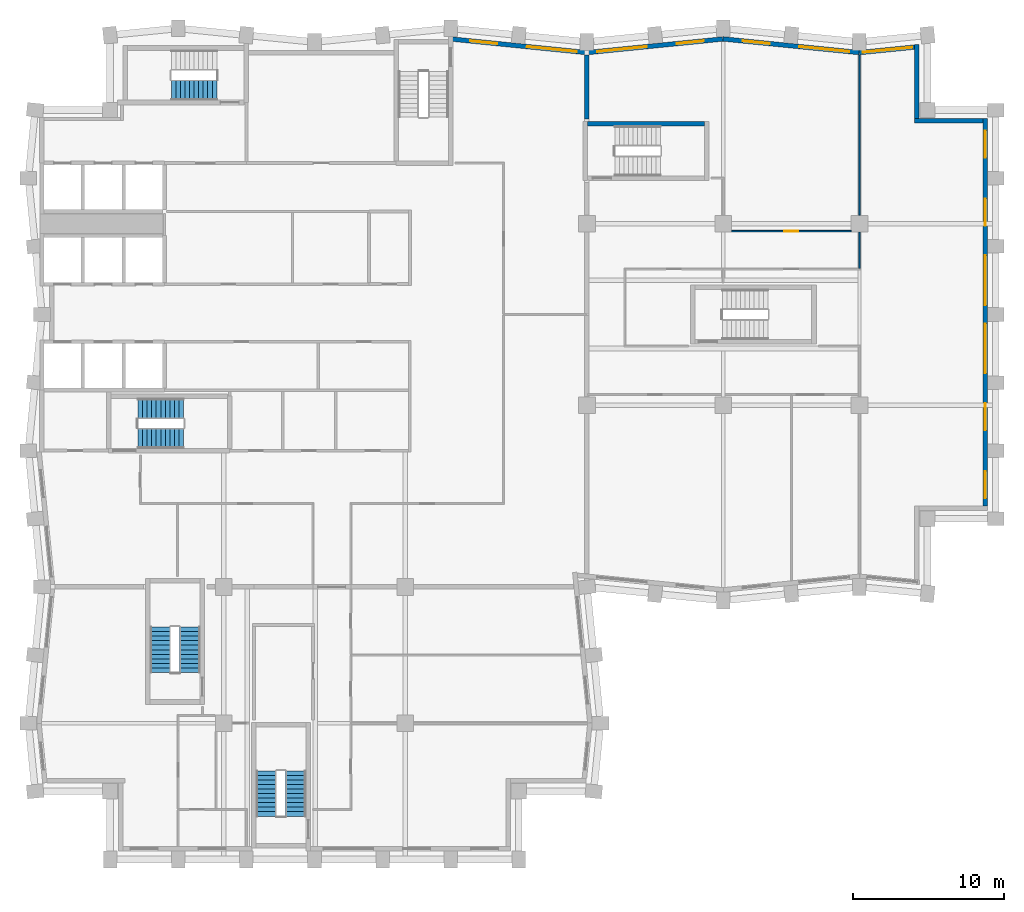
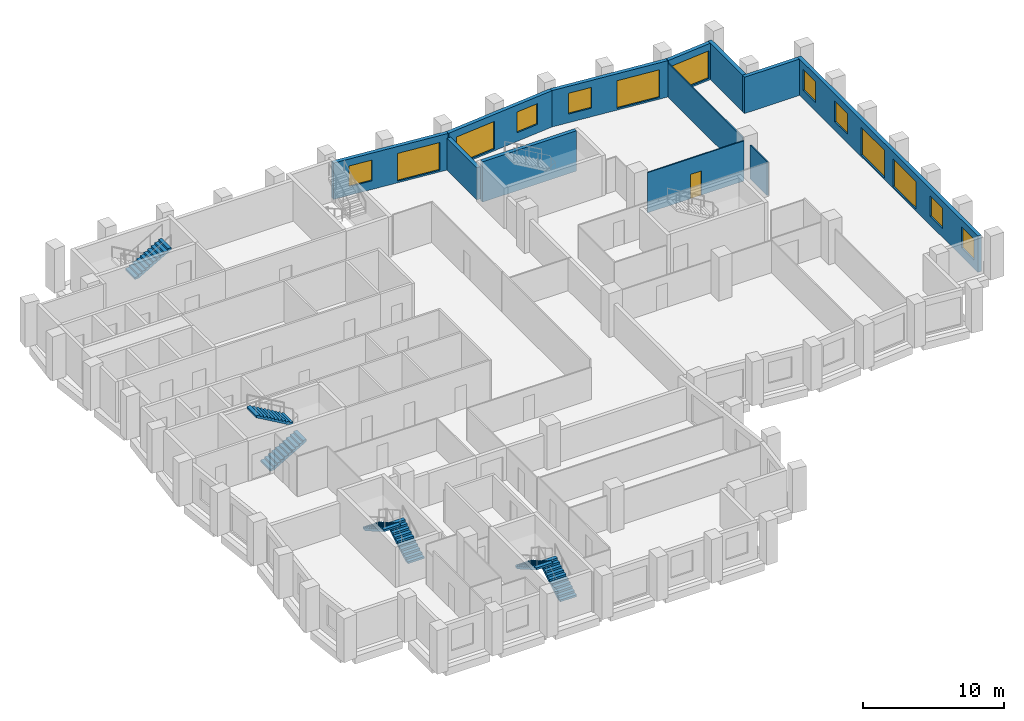
# One storey, part 7 of 10: 13 windows, 12 walls, 7 stair flights, 1 door, 14 openings, 4 elements without a shape of their own.
"""IFC4 building model written with IfcOpenShell, lengths in metres."""

import ifcopenshell
import ifcopenshell.guid

model = None  # the IFC model being written
_history = None  # IfcOwnerHistory: only IFC2X3 demands one
_inside = {}  # id of a spatial element -> (the spatial element, [elements in it])
_under = {}  # id of a project, library or spatial element -> (it, [spatial elements below it])
_declared = {}  # id of a project -> (the project, [libraries it declares])
_typed = {}  # id of a type object -> (the type object, [elements of that type])
_made_of = {}  # id of a material, layer set ... -> (it, [elements and type objects made of it])


def new_model(schema):
    """Start an empty IFC model of exactly this schema.

    Asked for "IFC4X3", IfcOpenShell would pick the latest addendum, in which some entities
    have other attributes; the version numbers below select the first issue.
    IFC2X3 requires an IfcOwnerHistory on every rooted entity: one is made here for all.
    """
    global model, _history
    if schema == "IFC4X3":
        model = ifcopenshell.file(schema_version=(4, 3, 0, 0))
    else:
        model = ifcopenshell.file(schema=schema)
    _inside.clear()
    _under.clear()
    _declared.clear()
    _typed.clear()
    _made_of.clear()
    _history = None
    if model.schema == "IFC2X3":
        org = make("IfcOrganization", Name="unknown")
        user = make(
            "IfcPersonAndOrganization",
            ThePerson=make("IfcPerson", FamilyName="unknown"),
            TheOrganization=org,
        )
        app = make(
            "IfcApplication",
            ApplicationDeveloper=org,
            Version="unknown",
            ApplicationFullName="unknown",
            ApplicationIdentifier="unknown",
        )
        _history = make(
            "IfcOwnerHistory",
            OwningUser=user,
            OwningApplication=app,
            ChangeAction="ADDED",
            CreationDate=0,
        )
    return model


def make(cls, **values):
    """One entity of the class cls with the attributes given. An attribute that is None is left unset."""
    return model.create_entity(
        cls, **{name: value for name, value in values.items() if value is not None}
    )


def rooted(cls, **values):
    """An entity with a GlobalId (a new one), such as an element, a storey or a relation."""
    return make(cls, GlobalId=ifcopenshell.guid.new(), OwnerHistory=_history, **values)


def si_unit(unit_type, name, prefix=None):
    """IfcSIUnit, for example si_unit("LENGTHUNIT", "METRE", prefix="MILLI")."""
    return make("IfcSIUnit", UnitType=unit_type, Prefix=prefix, Name=name)


def assignment(units):
    """IfcUnitAssignment: the units of a project."""
    return None if units is None else make("IfcUnitAssignment", Units=units)


def point(xyz):
    """IfcCartesianPoint."""
    return None if xyz is None else make("IfcCartesianPoint", Coordinates=xyz)


def direction(xyz):
    """IfcDirection."""
    return None if xyz is None else make("IfcDirection", DirectionRatios=xyz)


def frame(location, z_axis=None, x_axis=None):
    """IfcAxis2Placement3D, a coordinate frame: its origin and axes. An axis left out is left unset."""
    return make(
        "IfcAxis2Placement3D",
        Location=point(location),
        Axis=direction(z_axis),
        RefDirection=direction(x_axis),
    )


def frame_2d(location, x_axis=None):
    """IfcAxis2Placement2D, a coordinate frame in the plane: its origin and x axis."""
    return make(
        "IfcAxis2Placement2D", Location=point(location), RefDirection=direction(x_axis)
    )


def origin():
    """The frame at (0, 0, 0) with its axes left unset."""
    return frame((0.0, 0.0, 0.0))


def place(relative_to, where):
    """IfcLocalPlacement: puts the frame where relative to a parent placement (None: the world)."""
    return make(
        "IfcLocalPlacement", PlacementRelTo=relative_to, RelativePlacement=where
    )


def context(
    kind, dimensions, precision=None, world=None, true_north=None, identifier=None
):
    """IfcGeometricRepresentationContext, for example the 3D "Model" context."""
    return make(
        "IfcGeometricRepresentationContext",
        ContextIdentifier=identifier,
        ContextType=kind,
        CoordinateSpaceDimension=dimensions,
        Precision=precision,
        WorldCoordinateSystem=world,
        TrueNorth=true_north,
    )


def subcontext(parent, identifier, kind, view, scale=None):
    """IfcGeometricRepresentationSubContext, for example "Body" below "Model"."""
    return make(
        "IfcGeometricRepresentationSubContext",
        ContextIdentifier=identifier,
        ContextType=kind,
        ParentContext=parent,
        TargetScale=scale,
        TargetView=view,
    )


def project(units=None, contexts=None):
    """IfcProject with its units and contexts."""
    return rooted(
        "IfcProject",
        Name="project",
        RepresentationContexts=contexts,
        UnitsInContext=assignment(units),
    )


def spatial(cls, under=None, at=None, **own):
    """A site, building, storey or space (cls), placed at a placement, below another one or the project."""
    s = rooted(cls, ObjectPlacement=at, **own)
    if under is not None:
        _under.setdefault(under.id(), (under, []))[1].append(s)
    return s


def polyline(points):
    """IfcPolyline through the points."""
    return make("IfcPolyline", Points=[point(p) for p in points])


def profile(cls, at=None, kind="AREA", **sizes):
    """A parametric profile (cls). Its sizes go by their IFC names, for example OverallWidth=200.0."""
    return make(cls, ProfileType=kind, Position=at, **sizes)


def rectangle(**sizes):
    """IfcRectangleProfileDef."""
    return profile("IfcRectangleProfileDef", **sizes)


def outline(outer, holes=None, kind="AREA"):
    """IfcArbitraryClosedProfileDef: a profile drawn as a closed curve; with holes, ...WithVoids."""
    if holes is None:
        return make("IfcArbitraryClosedProfileDef", ProfileType=kind, OuterCurve=outer)
    return make(
        "IfcArbitraryProfileDefWithVoids",
        ProfileType=kind,
        OuterCurve=outer,
        InnerCurves=holes,
    )


def extrude(swept, where, along, depth):
    """IfcExtrudedAreaSolid: the profile swept, set in the frame where, extruded along a direction by depth."""
    return make(
        "IfcExtrudedAreaSolid",
        SweptArea=swept,
        Position=where,
        ExtrudedDirection=direction(along),
        Depth=depth,
    )


def shape(context_of_items, identifier, shape_type, items):
    """IfcShapeRepresentation: the items that make up one representation, for example the "Body"."""
    return make(
        "IfcShapeRepresentation",
        ContextOfItems=context_of_items,
        RepresentationIdentifier=identifier,
        RepresentationType=shape_type,
        Items=items,
    )


def material(Name=None, Category=None):
    """IfcMaterial."""
    return make("IfcMaterial", Name=Name, Category=Category)


def layer(
    of_material, thickness, ventilated=None, Name=None, Category=None, Priority=None
):
    """IfcMaterialLayer: one layer of a wall or slab, of a material (None: an air gap)."""
    return make(
        "IfcMaterialLayer",
        Material=of_material,
        LayerThickness=thickness,
        IsVentilated=ventilated,
        Name=Name,
        Category=Category,
        Priority=Priority,
    )


def layer_set(layers, Name=None):
    """IfcMaterialLayerSet."""
    return make("IfcMaterialLayerSet", MaterialLayers=layers, LayerSetName=Name)


def made_of(thing, what):
    """Note that an element or type object is made of a material, layer set ...; save() writes the relation."""
    if what is not None:
        _made_of.setdefault(what.id(), (what, []))[1].append(thing)
    return thing


def type_object(cls, material=None, **own):
    """A type object (cls), such as IfcWallType, which elements share."""
    return made_of(rooted(cls, **own), material)


def element(
    cls,
    number,
    at=None,
    inside=None,
    cuts=None,
    type_object=None,
    material=None,
    context=None,
    identifier="Body",
    shape_type=None,
    held_by="IfcProductDefinitionShape",
    body=None,
    shapes=None,
    **own,
):
    """One element of the class cls, such as IfcWall. Its Tag is "e" and its number.

    at: its placement. inside: the storey or other place that contains it. cuts: it is an
    opening in that element (IfcRelVoidsElement). A single representation is given by context,
    identifier, shape_type and body (its items); several are given by shapes. held_by: the class
    of the entity that holds the representations. save() writes the other relations.
    """
    e = rooted(cls, Tag="e%d" % number, ObjectPlacement=at, **own)
    if body is not None:
        shapes = [shape(context, identifier, shape_type, body)]
    if shapes is not None:
        e.Representation = make(held_by, Representations=shapes)
    if inside is not None:
        _inside.setdefault(inside.id(), (inside, []))[1].append(e)
    if cuts is not None:
        rooted(
            "IfcRelVoidsElement", RelatingBuildingElement=cuts, RelatedOpeningElement=e
        )
    if type_object is not None:
        _typed.setdefault(type_object.id(), (type_object, []))[1].append(e)
    return made_of(e, material)


def fill(opening, filler):
    """IfcRelFillsElement: the door or window that sits in an opening."""
    return rooted(
        "IfcRelFillsElement",
        RelatingOpeningElement=opening,
        RelatedBuildingElement=filler,
    )


def aggregate(whole, parts):
    """IfcRelAggregates: a whole, such as a stair, and the parts it consists of."""
    return rooted("IfcRelAggregates", RelatingObject=whole, RelatedObjects=parts)


def save(model, path):
    """Write the relations noted so far, then the file.

    IfcRelAggregates (storeys below a building ...), IfcRelContainedInSpatialStructure (elements
    in a storey), IfcRelDefinesByType, IfcRelAssociatesMaterial and IfcRelDeclares: one each for
    every whole, place, type object, material and project.
    """
    for whole, parts in _under.values():
        aggregate(whole, parts)
    for where, things in _inside.values():
        rooted(
            "IfcRelContainedInSpatialStructure",
            RelatedElements=things,
            RelatingStructure=where,
        )
    for kind, things in _typed.values():
        rooted("IfcRelDefinesByType", RelatedObjects=things, RelatingType=kind)
    for what, things in _made_of.values():
        rooted("IfcRelAssociatesMaterial", RelatedObjects=things, RelatingMaterial=what)
    for by, libraries in _declared.values():
        rooted("IfcRelDeclares", RelatingContext=by, RelatedDefinitions=libraries)
    model.write(path)


model = new_model("IFC4")

# Units and contexts
model_context = context("Model", 3, precision=1e-05, world=origin(), true_north=direction((0.0, 1.0)))
body_context = subcontext(model_context, "Body", "Model", "MODEL_VIEW")
ifc_project = project(units=[si_unit("LENGTHUNIT", "METRE"), si_unit("AREAUNIT", "SQUARE_METRE"), si_unit("VOLUMEUNIT", "CUBIC_METRE"), si_unit("PLANEANGLEUNIT", "RADIAN"), si_unit("MASSUNIT", "GRAM", prefix="KILO")], contexts=[model_context])

# Site, building, storey
site_placement = place(None, origin())
site = spatial("IfcSite", under=ifc_project, at=site_placement, CompositionType="ELEMENT")
building_placement = place(site_placement, origin())
building = spatial("IfcBuilding", under=site, at=building_placement, Name="Brondeck Convention Tower", CompositionType="ELEMENT")
storey_placement = place(building_placement, frame((0.0, 0.0, 162.39990234375)))
storey = spatial("IfcBuildingStorey", under=building, at=storey_placement, Name="L39", CompositionType="ELEMENT", Elevation=162.39990234375)

# Wall
ifc_material_1 = material(Name="Concrete compartment wall C30/37", Category="concrete")
ifc_layer_1 = layer(ifc_material_1, 0.300048828125)
ifc_layer_set_1 = layer_set([ifc_layer_1], Name="Compartment wall 300")
wall_type_1 = type_object("IfcWallType", Name="Compartment wall 300", PredefinedType="PARTITIONING", material=ifc_layer_set_1)
wall_1_placement = place(storey_placement, frame((36.0, 57.89990234375, 0.0), z_axis=(0.0, 0.0, 1.0), x_axis=(0.0, 1.0, 0.0)))
element("IfcWall", 1, at=wall_1_placement, inside=storey, type_object=wall_type_1, Name="FLR-L39-W060", PredefinedType="PARTITIONING", context=body_context, shape_type="SweptSolid", body=[
    extrude(rectangle(XDim=4.22607421875, YDim=0.300048828125, at=frame_2d((2.113037109375, 0.0))), origin(), (0.0, 0.0, 1.0), 2.780029296875),
])

# Wall, openings, windows
ifc_material_2 = material(Name="Precast concrete C50/60 bronze finish", Category="concrete")
ifc_layer_2 = layer(ifc_material_2, 0.070068359375, Name="Bronze precast facing")
ifc_material_3 = material(Name="Mineral wool")
ifc_layer_3 = layer(ifc_material_3, 0.159912109375, Name="Insulation")
ifc_material_4 = material(Name="Concrete C35/45", Category="concrete")
ifc_layer_4 = layer(ifc_material_4, 0.070068359375, Name="Backing")
ifc_layer_set_2 = layer_set([ifc_layer_2, ifc_layer_3, ifc_layer_4], Name="External infill wall, precast concrete C50/60 bronze facing")
wall_type_2 = type_object("IfcWallType", Name="External infill wall, precast concrete C50/60 bronze facing", PredefinedType="SOLIDWALL", material=ifc_layer_set_2)
wall_2_placement = place(storey_placement, frame((62.300048828125, 57.949951171875, 0.0), z_axis=(0.0, 0.0, 1.0), x_axis=(0.0, -1.0, 0.0)))
wall_2 = element("IfcWall", 2, at=wall_2_placement, inside=storey, type_object=wall_type_2, Name="ENV-EW-L39-P1-A-E63-01", PredefinedType="SOLIDWALL", context=body_context, shape_type="SweptSolid", body=[
    extrude(rectangle(XDim=25.60205078125, YDim=0.300048828125, at=frame_2d((12.801025390625, 0.0))), origin(), (0.0, 0.0, 1.0), 3.150146484375),
])
opening_1_placement = place(wall_2_placement, frame((0.800048828125, 0.0, 0.75)))
opening_1 = element("IfcOpeningElement", 3, at=opening_1_placement, cuts=wall_2, Name="Opening W10", PredefinedType="OPENING", context=body_context, shape_type="SweptSolid", body=[
    extrude(rectangle(XDim=1.800048828125, YDim=1.800048828125, at=frame_2d((0.89990234375, 0.89990234375))), frame((0.0, 0.159912109375, 0.0), z_axis=(0.0, -1.0, 0.0), x_axis=(1.0, 0.0, 0.0)), (0.0, 0.0, 1.0), 0.320068359375),
])
opening_2_placement = place(wall_2_placement, frame((5.300048828125, 0.0, 0.75)))
opening_2 = element("IfcOpeningElement", 4, at=opening_2_placement, cuts=wall_2, Name="Opening W10", PredefinedType="OPENING", context=body_context, shape_type="SweptSolid", body=[
    extrude(rectangle(XDim=1.800048828125, YDim=1.800048828125, at=frame_2d((0.89990234375, 0.89990234375))), frame((0.0, 0.159912109375, 0.0), z_axis=(0.0, -1.0, 0.0), x_axis=(1.0, 0.0, 0.0)), (0.0, 0.0, 1.0), 0.320068359375),
])
opening_3_placement = place(wall_2_placement, frame((9.050048828125, 0.0, 0.14990234375)))
opening_3 = element("IfcOpeningElement", 5, at=opening_3_placement, cuts=wall_2, Name="Opening W9", PredefinedType="OPENING", context=body_context, shape_type="SweptSolid", body=[
    extrude(rectangle(XDim=3.300048828125, YDim=2.39990234375, at=frame_2d((1.64990234375, 1.199951171875))), frame((0.0, 0.159912109375, 0.0), z_axis=(0.0, -1.0, 0.0), x_axis=(1.0, 0.0, 0.0)), (0.0, 0.0, 1.0), 0.320068359375),
])
opening_4_placement = place(wall_2_placement, frame((13.550048828125, 0.0, 0.14990234375)))
opening_4 = element("IfcOpeningElement", 6, at=opening_4_placement, cuts=wall_2, Name="Opening W9", PredefinedType="OPENING", context=body_context, shape_type="SweptSolid", body=[
    extrude(rectangle(XDim=3.300048828125, YDim=2.39990234375, at=frame_2d((1.64990234375, 1.199951171875))), frame((0.0, 0.159912109375, 0.0), z_axis=(0.0, -1.0, 0.0), x_axis=(1.0, 0.0, 0.0)), (0.0, 0.0, 1.0), 0.320068359375),
])
opening_5_placement = place(wall_2_placement, frame((18.800048828125, 0.0, 0.75)))
opening_5 = element("IfcOpeningElement", 7, at=opening_5_placement, cuts=wall_2, Name="Opening W10", PredefinedType="OPENING", context=body_context, shape_type="SweptSolid", body=[
    extrude(rectangle(XDim=1.800048828125, YDim=1.800048828125, at=frame_2d((0.89990234375, 0.89990234375))), frame((0.0, 0.159912109375, 0.0), z_axis=(0.0, -1.0, 0.0), x_axis=(1.0, 0.0, 0.0)), (0.0, 0.0, 1.0), 0.320068359375),
])
opening_6_placement = place(wall_2_placement, frame((23.300048828125, 0.0, 0.75)))
opening_6 = element("IfcOpeningElement", 8, at=opening_6_placement, cuts=wall_2, Name="Opening W10", PredefinedType="OPENING", context=body_context, shape_type="SweptSolid", body=[
    extrude(rectangle(XDim=1.800048828125, YDim=1.800048828125, at=frame_2d((0.89990234375, 0.89990234375))), frame((0.0, 0.159912109375, 0.0), z_axis=(0.0, -1.0, 0.0), x_axis=(1.0, 0.0, 0.0)), (0.0, 0.0, 1.0), 0.320068359375),
])
ifc_material_5 = material(Name="Bronze tinted double glazing", Category="glass")
window_type_1 = type_object("IfcWindowType", Name="Glazed flute window, bronze tinted", PartitioningType="SINGLE_PANEL", PredefinedType="WINDOW", material=ifc_material_5)
window_1_placement = place(opening_3_placement, origin())
window_1 = element("IfcWindow", 9, at=window_1_placement, inside=storey, type_object=window_type_1, Name="ENV-WN-L39-P1-A-E63-04", OverallHeight=2.39990234375, OverallWidth=3.300048828125, PartitioningType="SINGLE_PANEL", PredefinedType="WINDOW", context=body_context, shape_type="SweptSolid", body=[
    extrude(rectangle(XDim=3.300048828125, YDim=2.39990234375, at=frame_2d((1.64990234375, 1.199951171875))), frame((0.0, 0.030029296875, 0.0), z_axis=(0.0, -1.0, 0.0), x_axis=(1.0, 0.0, 0.0)), (0.0, 0.0, 1.0), 0.06005859375),
])
fill(opening_3, window_1)
window_2_placement = place(opening_4_placement, origin())
window_2 = element("IfcWindow", 10, at=window_2_placement, inside=storey, type_object=window_type_1, Name="ENV-WN-L39-P1-A-E63-03", OverallHeight=2.39990234375, OverallWidth=3.300048828125, PartitioningType="SINGLE_PANEL", PredefinedType="WINDOW", context=body_context, shape_type="SweptSolid", body=[
    extrude(rectangle(XDim=3.300048828125, YDim=2.39990234375, at=frame_2d((1.64990234375, 1.199951171875))), frame((0.0, 0.030029296875, 0.0), z_axis=(0.0, -1.0, 0.0), x_axis=(1.0, 0.0, 0.0)), (0.0, 0.0, 1.0), 0.06005859375),
])
fill(opening_4, window_2)
window_type_2 = type_object("IfcWindowType", Name="Punched window, bronze tinted", PartitioningType="SINGLE_PANEL", PredefinedType="WINDOW", material=ifc_material_5)
window_3_placement = place(opening_1_placement, origin())
window_3 = element("IfcWindow", 11, at=window_3_placement, inside=storey, type_object=window_type_2, Name="ENV-WN-L39-P1-A-E63-06", OverallHeight=1.800048828125, OverallWidth=1.800048828125, PartitioningType="SINGLE_PANEL", PredefinedType="WINDOW", context=body_context, shape_type="SweptSolid", body=[
    extrude(rectangle(XDim=1.800048828125, YDim=1.800048828125, at=frame_2d((0.89990234375, 0.89990234375))), frame((0.0, 0.030029296875, 0.0), z_axis=(0.0, -1.0, 0.0), x_axis=(1.0, 0.0, 0.0)), (0.0, 0.0, 1.0), 0.06005859375),
])
fill(opening_1, window_3)
window_4_placement = place(opening_2_placement, origin())
window_4 = element("IfcWindow", 12, at=window_4_placement, inside=storey, type_object=window_type_2, Name="ENV-WN-L39-P1-A-E63-05", OverallHeight=1.800048828125, OverallWidth=1.800048828125, PartitioningType="SINGLE_PANEL", PredefinedType="WINDOW", context=body_context, shape_type="SweptSolid", body=[
    extrude(rectangle(XDim=1.800048828125, YDim=1.800048828125, at=frame_2d((0.89990234375, 0.89990234375))), frame((0.0, 0.030029296875, 0.0), z_axis=(0.0, -1.0, 0.0), x_axis=(1.0, 0.0, 0.0)), (0.0, 0.0, 1.0), 0.06005859375),
])
fill(opening_2, window_4)
window_5_placement = place(opening_5_placement, origin())
window_5 = element("IfcWindow", 13, at=window_5_placement, inside=storey, type_object=window_type_2, Name="ENV-WN-L39-P1-A-E63-02", OverallHeight=1.800048828125, OverallWidth=1.800048828125, PartitioningType="SINGLE_PANEL", PredefinedType="WINDOW", context=body_context, shape_type="SweptSolid", body=[
    extrude(rectangle(XDim=1.800048828125, YDim=1.800048828125, at=frame_2d((0.89990234375, 0.89990234375))), frame((0.0, 0.030029296875, 0.0), z_axis=(0.0, -1.0, 0.0), x_axis=(1.0, 0.0, 0.0)), (0.0, 0.0, 1.0), 0.06005859375),
])
fill(opening_5, window_5)
window_6_placement = place(opening_6_placement, origin())
window_6 = element("IfcWindow", 14, at=window_6_placement, inside=storey, type_object=window_type_2, Name="ENV-WN-L39-P1-A-E63-01", OverallHeight=1.800048828125, OverallWidth=1.800048828125, PartitioningType="SINGLE_PANEL", PredefinedType="WINDOW", context=body_context, shape_type="SweptSolid", body=[
    extrude(rectangle(XDim=1.800048828125, YDim=1.800048828125, at=frame_2d((0.89990234375, 0.89990234375))), frame((0.0, 0.030029296875, 0.0), z_axis=(0.0, -1.0, 0.0), x_axis=(1.0, 0.0, 0.0)), (0.0, 0.0, 1.0), 0.06005859375),
])
fill(opening_6, window_6)

# Walls
wall_3_placement = place(storey_placement, frame((57.64990234375, 57.800048828125, 0.0), z_axis=(0.0, 0.0, 1.0), x_axis=(1.0, 0.0, 0.0)))
element("IfcWall", 15, at=wall_3_placement, inside=storey, type_object=wall_type_2, Name="ENV-EW-L39-P1-NC-NEA63-01", PredefinedType="SOLIDWALL", context=body_context, shape_type="SweptSolid", body=[
    extrude(rectangle(XDim=4.502197265625, YDim=0.300048828125, at=frame_2d((2.2509765625, 0.0))), origin(), (0.0, 0.0, 1.0), 3.150146484375),
])
wall_4_placement = place(storey_placement, frame((57.800048828125, 62.84228515625, 0.0), z_axis=(0.0, 0.0, 1.0), x_axis=(0.0, -1.0, 0.0)))
element("IfcWall", 16, at=wall_4_placement, inside=storey, type_object=wall_type_2, Name="ENV-EW-L39-P1-NC-NEA63-02", PredefinedType="SOLIDWALL", context=body_context, shape_type="SweptSolid", body=[
    extrude(rectangle(XDim=4.894287109375, YDim=0.300048828125, at=frame_2d((2.447265625, 0.0))), origin(), (0.0, 0.0, 1.0), 3.150146484375),
])

# Wall, opening, window
wall_5_placement = place(storey_placement, frame((53.985107421875, 62.294921875, 0.0), z_axis=(0.0, 0.0, 1.0), x_axis=(0.99503719021, 0.099503719021, 0.0)))
wall_5 = element("IfcWall", 17, at=wall_5_placement, inside=storey, type_object=wall_type_2, Name="ENV-EW-L39-P1-A-N-12", PredefinedType="SOLIDWALL", context=body_context, shape_type="SweptSolid", body=[
    extrude(rectangle(XDim=3.677978515625, YDim=0.300048828125, at=frame_2d((1.8388671875, 0.0))), origin(), (0.0, 0.0, 1.0), 3.150146484375),
])
opening_7_placement = place(wall_5_placement, frame((0.22802734375, 0.0, 0.14990234375)))
opening_7 = element("IfcOpeningElement", 18, at=opening_7_placement, cuts=wall_5, Name="Opening W9", PredefinedType="OPENING", context=body_context, shape_type="SweptSolid", body=[
    extrude(rectangle(XDim=3.300048828125, YDim=2.39990234375, at=frame_2d((1.64990234375, 1.199951171875))), frame((0.0, 0.159912109375, 0.0), z_axis=(0.0, -1.0, 0.0), x_axis=(1.0, 0.0, 0.0)), (0.0, 0.0, 1.0), 0.320068359375),
])
window_7_placement = place(opening_7_placement, origin())
window_7 = element("IfcWindow", 19, at=window_7_placement, inside=storey, type_object=window_type_1, Name="ENV-WN-L39-P1-A-N-12", OverallHeight=2.39990234375, OverallWidth=3.300048828125, PartitioningType="SINGLE_PANEL", PredefinedType="WINDOW", context=body_context, shape_type="SweptSolid", body=[
    extrude(rectangle(XDim=3.300048828125, YDim=2.39990234375, at=frame_2d((1.64990234375, 1.199951171875))), frame((0.0, 0.030029296875, 0.0), z_axis=(0.0, -1.0, 0.0), x_axis=(1.0, 0.0, 0.0)), (0.0, 0.0, 1.0), 0.06005859375),
])
fill(opening_7, window_7)

# Wall, openings, windows
wall_6_placement = place(storey_placement, frame((44.985107421875, 63.197998046875, 0.0), z_axis=(0.0, 0.0, 1.0), x_axis=(0.995037993253, -0.099495688264, 0.0)))
wall_6 = element("IfcWall", 20, at=wall_6_placement, inside=storey, type_object=wall_type_2, Name="ENV-EW-L39-P1-A-N-11", PredefinedType="SOLIDWALL", context=body_context, shape_type="SweptSolid", body=[
    extrude(rectangle(XDim=9.030029296875, YDim=0.300048828125, at=frame_2d((4.51513671875, 0.0))), origin(), (0.0, 0.0, 1.0), 3.150146484375),
])
opening_8_placement = place(wall_6_placement, frame((1.30615234375, 0.0, 0.75)))
opening_8 = element("IfcOpeningElement", 21, at=opening_8_placement, cuts=wall_6, Name="Opening W10", PredefinedType="OPENING", context=body_context, shape_type="SweptSolid", body=[
    extrude(rectangle(XDim=1.800048828125, YDim=1.800048828125, at=frame_2d((0.89990234375, 0.89990234375))), frame((0.0, 0.159912109375, 0.0), z_axis=(0.0, -1.0, 0.0), x_axis=(1.0, 0.0, 0.0)), (0.0, 0.0, 1.0), 0.320068359375),
])
opening_9_placement = place(wall_6_placement, frame((5.07861328125, 0.0, 0.14990234375)))
opening_9 = element("IfcOpeningElement", 22, at=opening_9_placement, cuts=wall_6, Name="Opening W9", PredefinedType="OPENING", context=body_context, shape_type="SweptSolid", body=[
    extrude(rectangle(XDim=3.300048828125, YDim=2.39990234375, at=frame_2d((1.64990234375, 1.199951171875))), frame((0.0, 0.159912109375, 0.0), z_axis=(0.0, -1.0, 0.0), x_axis=(1.0, 0.0, 0.0)), (0.0, 0.0, 1.0), 0.320068359375),
])
window_8_placement = place(opening_9_placement, origin())
window_8 = element("IfcWindow", 23, at=window_8_placement, inside=storey, type_object=window_type_1, Name="ENV-WN-L39-P1-A-N-11", OverallHeight=2.39990234375, OverallWidth=3.300048828125, PartitioningType="SINGLE_PANEL", PredefinedType="WINDOW", context=body_context, shape_type="SweptSolid", body=[
    extrude(rectangle(XDim=3.300048828125, YDim=2.39990234375, at=frame_2d((1.64990234375, 1.199951171875))), frame((0.0, 0.030029296875, 0.0), z_axis=(0.0, -1.0, 0.0), x_axis=(1.0, 0.0, 0.0)), (0.0, 0.0, 1.0), 0.06005859375),
])
fill(opening_9, window_8)
window_9_placement = place(opening_8_placement, origin())
window_9 = element("IfcWindow", 24, at=window_9_placement, inside=storey, type_object=window_type_2, Name="ENV-WN-L39-P1-A-N-10", OverallHeight=1.800048828125, OverallWidth=1.800048828125, PartitioningType="SINGLE_PANEL", PredefinedType="WINDOW", context=body_context, shape_type="SweptSolid", body=[
    extrude(rectangle(XDim=1.800048828125, YDim=1.800048828125, at=frame_2d((0.89990234375, 0.89990234375))), frame((0.0, 0.030029296875, 0.0), z_axis=(0.0, -1.0, 0.0), x_axis=(1.0, 0.0, 0.0)), (0.0, 0.0, 1.0), 0.06005859375),
])
fill(opening_8, window_9)

wall_7_placement = place(storey_placement, frame((35.985107421875, 62.294921875, 0.0), z_axis=(0.0, 0.0, 1.0), x_axis=(0.995035316196, 0.099522457379, 0.0)))
wall_7 = element("IfcWall", 25, at=wall_7_placement, inside=storey, type_object=wall_type_2, Name="ENV-EW-L39-P1-A-N-09", PredefinedType="SOLIDWALL", context=body_context, shape_type="SweptSolid", body=[
    extrude(rectangle(XDim=9.030029296875, YDim=0.300048828125, at=frame_2d((4.51513671875, 0.0))), origin(), (0.0, 0.0, 1.0), 3.150146484375),
])
opening_10_placement = place(wall_7_placement, frame((0.6962890625, 0.0, 0.14990234375)))
opening_10 = element("IfcOpeningElement", 26, at=opening_10_placement, cuts=wall_7, Name="Opening W9", PredefinedType="OPENING", context=body_context, shape_type="SweptSolid", body=[
    extrude(rectangle(XDim=3.300048828125, YDim=2.39990234375, at=frame_2d((1.64990234375, 1.199951171875))), frame((0.0, 0.159912109375, 0.0), z_axis=(0.0, -1.0, 0.0), x_axis=(1.0, 0.0, 0.0)), (0.0, 0.0, 1.0), 0.320068359375),
])
opening_11_placement = place(wall_7_placement, frame((5.968505859375, 0.0, 0.75)))
opening_11 = element("IfcOpeningElement", 27, at=opening_11_placement, cuts=wall_7, Name="Opening W10", PredefinedType="OPENING", context=body_context, shape_type="SweptSolid", body=[
    extrude(rectangle(XDim=1.800048828125, YDim=1.800048828125, at=frame_2d((0.89990234375, 0.89990234375))), frame((0.0, 0.159912109375, 0.0), z_axis=(0.0, -1.0, 0.0), x_axis=(1.0, 0.0, 0.0)), (0.0, 0.0, 1.0), 0.320068359375),
])
window_10_placement = place(opening_10_placement, origin())
window_10 = element("IfcWindow", 28, at=window_10_placement, inside=storey, type_object=window_type_1, Name="ENV-WN-L39-P1-A-N-08", OverallHeight=2.39990234375, OverallWidth=3.300048828125, PartitioningType="SINGLE_PANEL", PredefinedType="WINDOW", context=body_context, shape_type="SweptSolid", body=[
    extrude(rectangle(XDim=3.300048828125, YDim=2.39990234375, at=frame_2d((1.64990234375, 1.199951171875))), frame((0.0, 0.030029296875, 0.0), z_axis=(0.0, -1.0, 0.0), x_axis=(1.0, 0.0, 0.0)), (0.0, 0.0, 1.0), 0.06005859375),
])
fill(opening_10, window_10)
window_11_placement = place(opening_11_placement, origin())
window_11 = element("IfcWindow", 29, at=window_11_placement, inside=storey, type_object=window_type_2, Name="ENV-WN-L39-P1-A-N-09", OverallHeight=1.800048828125, OverallWidth=1.800048828125, PartitioningType="SINGLE_PANEL", PredefinedType="WINDOW", context=body_context, shape_type="SweptSolid", body=[
    extrude(rectangle(XDim=1.800048828125, YDim=1.800048828125, at=frame_2d((0.89990234375, 0.89990234375))), frame((0.0, 0.030029296875, 0.0), z_axis=(0.0, -1.0, 0.0), x_axis=(1.0, 0.0, 0.0)), (0.0, 0.0, 1.0), 0.06005859375),
])
fill(opening_11, window_11)

wall_8_placement = place(storey_placement, frame((27.07958984375, 63.188720703125, 0.0), z_axis=(0.0, 0.0, 1.0), x_axis=(0.995036108007, -0.099514540459, 0.0)))
wall_8 = element("IfcWall", 30, at=wall_8_placement, inside=storey, type_object=wall_type_2, Name="ENV-EW-L39-P1-A-N-07", PredefinedType="SOLIDWALL", context=body_context, shape_type="SweptSolid", body=[
    extrude(rectangle(XDim=8.93505859375, YDim=0.300048828125, at=frame_2d((4.467529296875, 0.0))), origin(), (0.0, 0.0, 1.0), 3.150146484375),
])
opening_12_placement = place(wall_8_placement, frame((1.211181640625, 0.0, 0.75)))
opening_12 = element("IfcOpeningElement", 31, at=opening_12_placement, cuts=wall_8, Name="Opening W10", PredefinedType="OPENING", context=body_context, shape_type="SweptSolid", body=[
    extrude(rectangle(XDim=1.800048828125, YDim=1.800048828125, at=frame_2d((0.89990234375, 0.89990234375))), frame((0.0, 0.159912109375, 0.0), z_axis=(0.0, -1.0, 0.0), x_axis=(1.0, 0.0, 0.0)), (0.0, 0.0, 1.0), 0.320068359375),
])
opening_13_placement = place(wall_8_placement, frame((4.983642578125, 0.0, 0.14990234375)))
opening_13 = element("IfcOpeningElement", 32, at=opening_13_placement, cuts=wall_8, Name="Opening W9", PredefinedType="OPENING", context=body_context, shape_type="SweptSolid", body=[
    extrude(rectangle(XDim=3.300048828125, YDim=2.39990234375, at=frame_2d((1.64990234375, 1.199951171875))), frame((0.0, 0.159912109375, 0.0), z_axis=(0.0, -1.0, 0.0), x_axis=(1.0, 0.0, 0.0)), (0.0, 0.0, 1.0), 0.320068359375),
])
window_12_placement = place(opening_13_placement, origin())
window_12 = element("IfcWindow", 33, at=window_12_placement, inside=storey, type_object=window_type_1, Name="ENV-WN-L39-P1-A-N-07", OverallHeight=2.39990234375, OverallWidth=3.300048828125, PartitioningType="SINGLE_PANEL", PredefinedType="WINDOW", context=body_context, shape_type="SweptSolid", body=[
    extrude(rectangle(XDim=3.300048828125, YDim=2.39990234375, at=frame_2d((1.64990234375, 1.199951171875))), frame((0.0, 0.030029296875, 0.0), z_axis=(0.0, -1.0, 0.0), x_axis=(1.0, 0.0, 0.0)), (0.0, 0.0, 1.0), 0.06005859375),
])
fill(opening_13, window_12)
window_13_placement = place(opening_12_placement, origin())
window_13 = element("IfcWindow", 34, at=window_13_placement, inside=storey, type_object=window_type_2, Name="ENV-WN-L39-P1-A-N-06", OverallHeight=1.800048828125, OverallWidth=1.800048828125, PartitioningType="SINGLE_PANEL", PredefinedType="WINDOW", context=body_context, shape_type="SweptSolid", body=[
    extrude(rectangle(XDim=1.800048828125, YDim=1.800048828125, at=frame_2d((0.89990234375, 0.89990234375))), frame((0.0, 0.030029296875, 0.0), z_axis=(0.0, -1.0, 0.0), x_axis=(1.0, 0.0, 0.0)), (0.0, 0.0, 1.0), 0.06005859375),
])
fill(opening_12, window_13)

# Wall
ifc_material_6 = material(Name="Gypsum board partition on steel studs", Category="steel")
ifc_layer_5 = layer(ifc_material_6, 0.10009765625)
ifc_layer_set_3 = layer_set([ifc_layer_5], Name="Room partition 100")
wall_type_3 = type_object("IfcWallType", Name="Room partition 100", PredefinedType="PARTITIONING", material=ifc_layer_set_3)
wall_9_placement = place(storey_placement, frame((54.0, 50.445068359375, 0.0), z_axis=(0.0, 0.0, 1.0), x_axis=(0.0, -1.0, 0.0)))
element("IfcWall", 35, at=wall_9_placement, inside=storey, type_object=wall_type_3, Name="FLR-L39-W052", PredefinedType="PARTITIONING", context=body_context, shape_type="SweptSolid", body=[
    extrude(rectangle(XDim=2.39501953125, YDim=0.10009765625, at=frame_2d((1.197509765625, 0.0))), origin(), (0.0, 0.0, 1.0), 2.93017578125),
])

# Wall, opening, door
wall_10_placement = place(storey_placement, frame((45.554931640625, 50.5, 0.0), z_axis=(0.0, 0.0, 1.0), x_axis=(1.0, 0.0, 0.0)))
wall_10 = element("IfcWall", 36, at=wall_10_placement, inside=storey, type_object=wall_type_3, Name="FLR-L39-W053", PredefinedType="PARTITIONING", context=body_context, shape_type="SweptSolid", body=[
    extrude(rectangle(XDim=7.89013671875, YDim=0.10009765625, at=frame_2d((3.945068359375, 0.0))), origin(), (0.0, 0.0, 1.0), 3.47998046875),
])
opening_14_placement = place(wall_10_placement, frame((3.4951171875, 0.0, 0.0)))
opening_14 = element("IfcOpeningElement", 37, at=opening_14_placement, cuts=wall_10, Name="Opening OF-G-008", PredefinedType="OPENING", context=body_context, shape_type="SweptSolid", body=[
    extrude(rectangle(XDim=0.89990234375, YDim=2.10009765625, at=frame_2d((0.449951171875, 1.050048828125))), frame((0.0, 0.06005859375, 0.0), z_axis=(0.0, -1.0, 0.0), x_axis=(1.0, 0.0, 0.0)), (0.0, 0.0, 1.0), 0.1201171875),
])
ifc_material_7 = material(Name="Solid timber door leaf", Category="wood")
door_type = type_object("IfcDoorType", Name="Single door 900", OperationType="NOTDEFINED", PredefinedType="DOOR", material=ifc_material_7)
door_placement = place(opening_14_placement, origin())
door = element("IfcDoor", 38, at=door_placement, inside=storey, type_object=door_type, Name="Door OF-G-008", OperationType="SINGLE_SWING_LEFT", OverallHeight=2.10009765625, OverallWidth=0.89990234375, PredefinedType="DOOR", context=body_context, shape_type="SweptSolid", body=[
    extrude(rectangle(XDim=0.89990234375, YDim=2.10009765625, at=frame_2d((0.449951171875, 1.050048828125))), frame((0.0, 0.02490234375, 0.0), z_axis=(0.0, -1.0, 0.0), x_axis=(1.0, 0.0, 0.0)), (0.0, 0.0, 1.0), 0.050048828125),
])
fill(opening_14, door)

# Walls
wall_11_placement = place(storey_placement, frame((54.0, 51.554931640625, 0.0), z_axis=(0.0, 0.0, 1.0), x_axis=(0.0, 1.0, 0.0)))
element("IfcWall", 39, at=wall_11_placement, inside=storey, type_object=wall_type_3, Name="FLR-L39-W055", PredefinedType="PARTITIONING", context=body_context, shape_type="SweptSolid", body=[
    extrude(rectangle(XDim=10.57080078125, YDim=0.10009765625, at=frame_2d((5.285400390625, 0.0))), origin(), (0.0, 0.0, 1.0), 2.93017578125),
])
ifc_material_8 = material(Name="Concrete C70/85", Category="concrete")
ifc_layer_6 = layer(ifc_material_8, 0.300048828125)
ifc_layer_set_4 = layer_set([ifc_layer_6], Name="Stair enclosure wall 300 Concrete C70/85")
wall_type_4 = type_object("IfcWallType", Name="Stair enclosure wall 300 Concrete C70/85", PredefinedType="SHEAR", material=ifc_layer_set_4)
wall_12_placement = place(storey_placement, frame((36.050048828125, 57.60009765625, 0.0), z_axis=(0.0, 0.0, 1.0), x_axis=(1.0, 0.0, 0.0)))
element("IfcWall", 40, at=wall_12_placement, inside=storey, type_object=wall_type_4, Name="L39 core wall", PredefinedType="SHEAR", context=body_context, shape_type="SweptSolid", body=[
    extrude(rectangle(XDim=7.699951171875, YDim=0.300048828125, at=frame_2d((3.85009765625, 0.0))), origin(), (0.0, 0.0, 1.0), 3.5),
])

# Stair, stair flights
ifc_material_9 = material(Name="Precast concrete C50/60", Category="concrete")
stair_type = type_object("IfcStairType", Name="Core stair 22 risers 172.73 mm riser 300 mm going 1350 wide", PredefinedType="HALF_TURN_STAIR", material=ifc_material_9)
stair_1_placement = place(storey_placement, origin())
stair_1 = element("IfcStair", 41, at=stair_1_placement, inside=storey, type_object=stair_type, Name="ST-1 L39 stair", PredefinedType="HALF_TURN_STAIR")
stair_flight_type = type_object("IfcStairFlightType", Name="Core stair flight 22 risers 172.73 mm riser 300 mm going 1350 wide", PredefinedType="STRAIGHT", material=ifc_material_9)
stair_flight_1_placement = place(storey_placement, frame((6.35009765625, 36.824951171875, 0.0), z_axis=(0.0, 0.0, 1.0), x_axis=(1.0, 0.0, 0.0)))
stair_flight_1 = element("IfcStairFlight", 42, at=stair_flight_1_placement, type_object=stair_flight_type, Name="ST-1 flight 1", NumberOfRisers=11, NumberOfTreads=10, PredefinedType="STRAIGHT", RiserHeight=0.172727273, TreadLength=0.3, context=body_context, shape_type="SweptSolid", body=[
    extrude(outline(polyline([(0.0, 0.0), (0.0, 0.172607421875), (0.300048828125, 0.172607421875), (0.300048828125, 0.345458984375), (0.60009765625, 0.345458984375), (0.60009765625, 0.51806640625), (0.89990234375, 0.51806640625), (0.89990234375, 0.69091796875), (1.199951171875, 0.69091796875), (1.199951171875, 0.863525390625), (1.5, 0.863525390625), (1.5, 1.036376953125), (1.800048828125, 1.036376953125), (1.800048828125, 1.208984375), (2.10009765625, 1.208984375), (2.10009765625, 1.3818359375), (2.39990234375, 1.3818359375), (2.39990234375, 1.554443359375), (2.699951171875, 1.554443359375), (2.699951171875, 1.727294921875), (3.0, 1.727294921875), (3.0, 1.89990234375), (3.0, 1.55419921875), (0.300537109375, 0.0), (0.0, 0.0)])), frame((0.0, 0.675048828125, 0.0), z_axis=(0.0, -1.0, 0.0), x_axis=(1.0, 0.0, 0.0)), (0.0, 0.0, 1.0), 1.35009765625),
])
stair_flight_2_placement = place(storey_placement, frame((9.35009765625, 38.77490234375, 1.900146484375), z_axis=(0.0, 0.0, 1.0), x_axis=(-1.0, 0.0, 0.0)))
stair_flight_2 = element("IfcStairFlight", 43, at=stair_flight_2_placement, type_object=stair_flight_type, Name="ST-1 flight 2", NumberOfRisers=11, NumberOfTreads=10, PredefinedType="STRAIGHT", RiserHeight=0.172727273, TreadLength=0.3, context=body_context, shape_type="SweptSolid", body=[
    extrude(outline(polyline([(0.0, 0.0), (0.0, 0.172607421875), (0.300048828125, 0.172607421875), (0.300048828125, 0.345458984375), (0.60009765625, 0.345458984375), (0.60009765625, 0.51806640625), (0.89990234375, 0.51806640625), (0.89990234375, 0.69091796875), (1.199951171875, 0.69091796875), (1.199951171875, 0.863525390625), (1.5, 0.863525390625), (1.5, 1.036376953125), (1.800048828125, 1.036376953125), (1.800048828125, 1.208984375), (2.10009765625, 1.208984375), (2.10009765625, 1.3818359375), (2.39990234375, 1.3818359375), (2.39990234375, 1.554443359375), (2.699951171875, 1.554443359375), (2.699951171875, 1.727294921875), (3.0, 1.727294921875), (3.0, 1.89990234375), (3.0, 1.55419921875), (0.300537109375, 0.0), (0.0, 0.0)])), frame((0.0, 0.675048828125, 0.0), z_axis=(0.0, -1.0, 0.0), x_axis=(1.0, 0.0, 0.0)), (0.0, 0.0, 1.0), 1.35009765625),
])
aggregate(stair_1, [stair_flight_1, stair_flight_2])

# Stair, stair flight
stair_2_placement = place(storey_placement, origin())
stair_2 = element("IfcStair", 44, at=stair_2_placement, inside=storey, type_object=stair_type, Name="ST-3 L39 stair", PredefinedType="HALF_TURN_STAIR")
stair_flight_3_placement = place(storey_placement, frame((8.550048828125, 59.824951171875, 1.900146484375), z_axis=(0.0, 0.0, 1.0), x_axis=(1.0, 0.0, 0.0)))
stair_flight_3 = element("IfcStairFlight", 45, at=stair_flight_3_placement, type_object=stair_flight_type, Name="ST-3 flight 2", NumberOfRisers=11, NumberOfTreads=10, PredefinedType="STRAIGHT", RiserHeight=0.172727273, TreadLength=0.3, context=body_context, shape_type="SweptSolid", body=[
    extrude(outline(polyline([(0.0, 0.0), (0.0, 0.172607421875), (0.300048828125, 0.172607421875), (0.300048828125, 0.345458984375), (0.60009765625, 0.345458984375), (0.60009765625, 0.51806640625), (0.89990234375, 0.51806640625), (0.89990234375, 0.69091796875), (1.199951171875, 0.69091796875), (1.199951171875, 0.863525390625), (1.5, 0.863525390625), (1.5, 1.036376953125), (1.800048828125, 1.036376953125), (1.800048828125, 1.208984375), (2.10009765625, 1.208984375), (2.10009765625, 1.3818359375), (2.39990234375, 1.3818359375), (2.39990234375, 1.554443359375), (2.699951171875, 1.554443359375), (2.699951171875, 1.727294921875), (3.0, 1.727294921875), (3.0, 1.89990234375), (3.0, 1.55419921875), (0.300537109375, 0.0), (0.0, 0.0)])), frame((0.0, 0.675048828125, 0.0), z_axis=(0.0, -1.0, 0.0), x_axis=(1.0, 0.0, 0.0)), (0.0, 0.0, 1.0), 1.35009765625),
])
aggregate(stair_2, [stair_flight_3])

# Stair, stair flights
stair_3_placement = place(storey_placement, origin())
stair_3 = element("IfcStair", 46, at=stair_3_placement, inside=storey, type_object=stair_type, Name="ST-BE L39 stair", PredefinedType="HALF_TURN_STAIR")
stair_flight_4_placement = place(storey_placement, frame((9.77490234375, 21.35009765625, 0.0), z_axis=(0.0, 0.0, 1.0), x_axis=(0.0, 1.0, 0.0)))
stair_flight_4 = element("IfcStairFlight", 47, at=stair_flight_4_placement, type_object=stair_flight_type, Name="ST-BE flight 1", NumberOfRisers=11, NumberOfTreads=10, PredefinedType="STRAIGHT", RiserHeight=0.172727273, TreadLength=0.3, context=body_context, shape_type="SweptSolid", body=[
    extrude(outline(polyline([(0.0, 0.0), (0.0, 0.172607421875), (0.300048828125, 0.172607421875), (0.300048828125, 0.345458984375), (0.60009765625, 0.345458984375), (0.60009765625, 0.51806640625), (0.89990234375, 0.51806640625), (0.89990234375, 0.69091796875), (1.199951171875, 0.69091796875), (1.199951171875, 0.863525390625), (1.5, 0.863525390625), (1.5, 1.036376953125), (1.800048828125, 1.036376953125), (1.800048828125, 1.208984375), (2.10009765625, 1.208984375), (2.10009765625, 1.3818359375), (2.39990234375, 1.3818359375), (2.39990234375, 1.554443359375), (2.699951171875, 1.554443359375), (2.699951171875, 1.727294921875), (3.0, 1.727294921875), (3.0, 1.89990234375), (3.0, 1.55419921875), (0.300537109375, 0.0), (0.0, 0.0)])), frame((0.0, 0.675048828125, 0.0), z_axis=(0.0, -1.0, 0.0), x_axis=(1.0, 0.0, 0.0)), (0.0, 0.0, 1.0), 1.35009765625),
])
stair_flight_5_placement = place(storey_placement, frame((7.824951171875, 24.35009765625, 1.900146484375), z_axis=(0.0, 0.0, 1.0), x_axis=(0.0, -1.0, 0.0)))
stair_flight_5 = element("IfcStairFlight", 48, at=stair_flight_5_placement, type_object=stair_flight_type, Name="ST-BE flight 2", NumberOfRisers=11, NumberOfTreads=10, PredefinedType="STRAIGHT", RiserHeight=0.172727273, TreadLength=0.3, context=body_context, shape_type="SweptSolid", body=[
    extrude(outline(polyline([(0.0, 0.0), (0.0, 0.172607421875), (0.300048828125, 0.172607421875), (0.300048828125, 0.345458984375), (0.60009765625, 0.345458984375), (0.60009765625, 0.51806640625), (0.89990234375, 0.51806640625), (0.89990234375, 0.69091796875), (1.199951171875, 0.69091796875), (1.199951171875, 0.863525390625), (1.5, 0.863525390625), (1.5, 1.036376953125), (1.800048828125, 1.036376953125), (1.800048828125, 1.208984375), (2.10009765625, 1.208984375), (2.10009765625, 1.3818359375), (2.39990234375, 1.3818359375), (2.39990234375, 1.554443359375), (2.699951171875, 1.554443359375), (2.699951171875, 1.727294921875), (3.0, 1.727294921875), (3.0, 1.89990234375), (3.0, 1.55419921875), (0.300537109375, 0.0), (0.0, 0.0)])), frame((0.0, 0.675048828125, 0.0), z_axis=(0.0, -1.0, 0.0), x_axis=(1.0, 0.0, 0.0)), (0.0, 0.0, 1.0), 1.35009765625),
])
aggregate(stair_3, [stair_flight_4, stair_flight_5])

stair_4_placement = place(storey_placement, origin())
stair_4 = element("IfcStair", 49, at=stair_4_placement, inside=storey, type_object=stair_type, Name="ST-BF L39 stair", PredefinedType="HALF_TURN_STAIR")
stair_flight_6_placement = place(storey_placement, frame((16.77490234375, 11.85009765625, 0.0), z_axis=(0.0, 0.0, 1.0), x_axis=(0.0, 1.0, 0.0)))
stair_flight_6 = element("IfcStairFlight", 50, at=stair_flight_6_placement, type_object=stair_flight_type, Name="ST-BF flight 1", NumberOfRisers=11, NumberOfTreads=10, PredefinedType="STRAIGHT", RiserHeight=0.172727273, TreadLength=0.3, context=body_context, shape_type="SweptSolid", body=[
    extrude(outline(polyline([(0.0, 0.0), (0.0, 0.172607421875), (0.300048828125, 0.172607421875), (0.300048828125, 0.345458984375), (0.60009765625, 0.345458984375), (0.60009765625, 0.51806640625), (0.89990234375, 0.51806640625), (0.89990234375, 0.69091796875), (1.199951171875, 0.69091796875), (1.199951171875, 0.863525390625), (1.5, 0.863525390625), (1.5, 1.036376953125), (1.800048828125, 1.036376953125), (1.800048828125, 1.208984375), (2.10009765625, 1.208984375), (2.10009765625, 1.3818359375), (2.39990234375, 1.3818359375), (2.39990234375, 1.554443359375), (2.699951171875, 1.554443359375), (2.699951171875, 1.727294921875), (3.0, 1.727294921875), (3.0, 1.89990234375), (3.0, 1.55419921875), (0.300537109375, 0.0), (0.0, 0.0)])), frame((0.0, 0.675048828125, 0.0), z_axis=(0.0, -1.0, 0.0), x_axis=(1.0, 0.0, 0.0)), (0.0, 0.0, 1.0), 1.35009765625),
])
stair_flight_7_placement = place(storey_placement, frame((14.824951171875, 14.85009765625, 1.900146484375), z_axis=(0.0, 0.0, 1.0), x_axis=(0.0, -1.0, 0.0)))
stair_flight_7 = element("IfcStairFlight", 51, at=stair_flight_7_placement, type_object=stair_flight_type, Name="ST-BF flight 2", NumberOfRisers=11, NumberOfTreads=10, PredefinedType="STRAIGHT", RiserHeight=0.172727273, TreadLength=0.3, context=body_context, shape_type="SweptSolid", body=[
    extrude(outline(polyline([(0.0, 0.0), (0.0, 0.172607421875), (0.300048828125, 0.172607421875), (0.300048828125, 0.345458984375), (0.60009765625, 0.345458984375), (0.60009765625, 0.51806640625), (0.89990234375, 0.51806640625), (0.89990234375, 0.69091796875), (1.199951171875, 0.69091796875), (1.199951171875, 0.863525390625), (1.5, 0.863525390625), (1.5, 1.036376953125), (1.800048828125, 1.036376953125), (1.800048828125, 1.208984375), (2.10009765625, 1.208984375), (2.10009765625, 1.3818359375), (2.39990234375, 1.3818359375), (2.39990234375, 1.554443359375), (2.699951171875, 1.554443359375), (2.699951171875, 1.727294921875), (3.0, 1.727294921875), (3.0, 1.89990234375), (3.0, 1.55419921875), (0.300537109375, 0.0), (0.0, 0.0)])), frame((0.0, 0.675048828125, 0.0), z_axis=(0.0, -1.0, 0.0), x_axis=(1.0, 0.0, 0.0)), (0.0, 0.0, 1.0), 1.35009765625),
])
aggregate(stair_4, [stair_flight_6, stair_flight_7])

save(model, "model.ifc")
